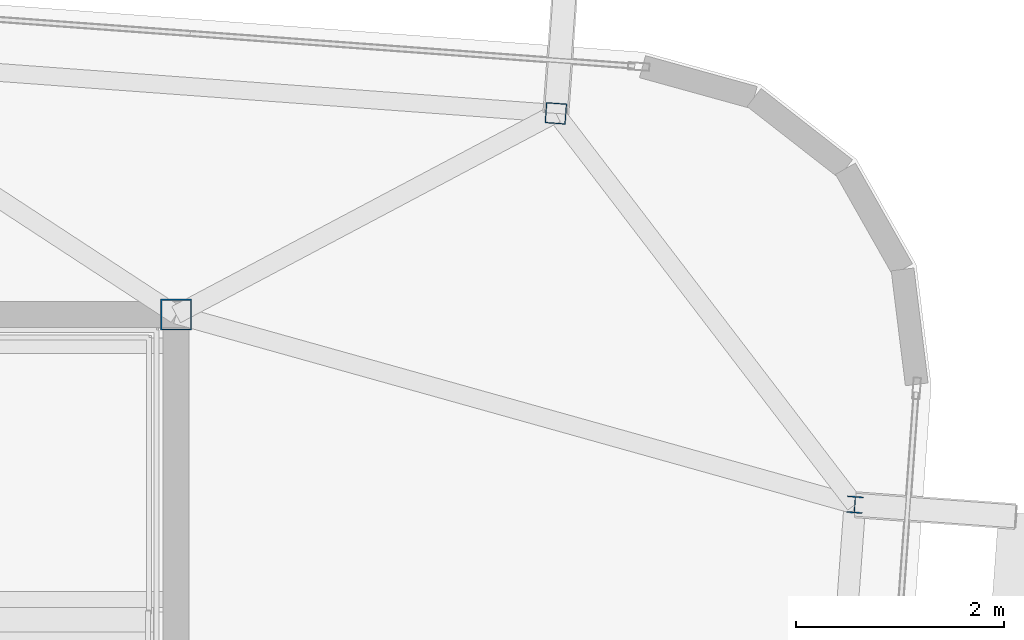
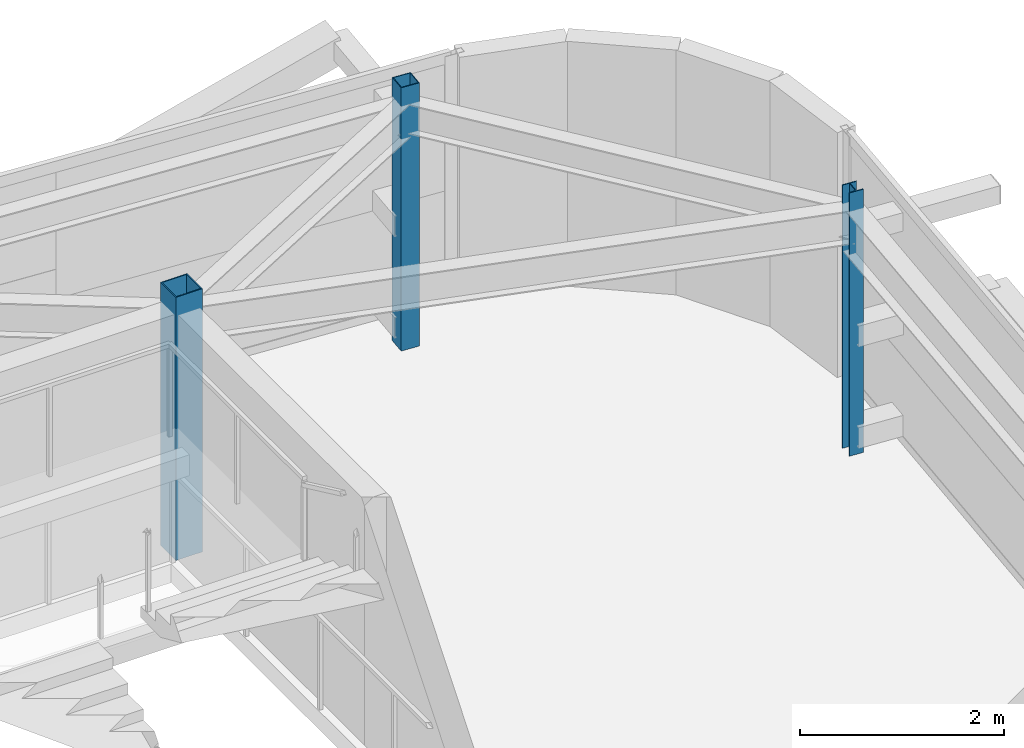
# One storey, part 6 of 34: 3 columns.
"""IFC4 building model written with IfcOpenShell, lengths in metres."""

from ifc_helpers import new_model, si_unit, direction, frame, origin, origin_2d, place, context, subcontext, project, spatial, hollow_rectangle, i_section, extrude, source, transform, mapped, material, material_profile, profile_set, type_object, element, save


model = new_model("IFC4")

# Units and contexts
model_context = context("Model", 3, precision=1e-05, world=origin(), true_north=direction((0.0, 1.0)))
body_context = subcontext(model_context, "Body", "Model", "MODEL_VIEW")
ifc_project = project(units=[si_unit("LENGTHUNIT", "METRE"), si_unit("AREAUNIT", "SQUARE_METRE"), si_unit("VOLUMEUNIT", "CUBIC_METRE"), si_unit("PLANEANGLEUNIT", "RADIAN"), si_unit("MASSUNIT", "GRAM", prefix="KILO")], contexts=[model_context])

# Site, building, storey
site_placement = place(None, origin())
site = spatial("IfcSite", under=ifc_project, at=site_placement, CompositionType="ELEMENT")
building_placement = place(site_placement, origin())
building = spatial("IfcBuilding", under=site, at=building_placement, Name="Taldren Reach Tower", CompositionType="ELEMENT")
storey_placement = place(building_placement, frame((0.0, 0.0, 242.89990234375)))
storey = spatial("IfcBuildingStorey", under=building, at=storey_placement, Name="L74", CompositionType="ELEMENT", Elevation=242.89990234375)

# Columns
ifc_material_1 = material(Name="Steel Gr 450 (C450L0)", Category="steel")
ifc_material_profile_1 = material_profile(ifc_material_1, hollow_rectangle(XDim=0.300048828125, YDim=0.300048828125, WallThickness=0.012451171875, at=origin_2d()), Name="300x300x12.5SHS")
ifc_profile_set_1 = profile_set([ifc_material_profile_1], Name="Steel Gr 450 (C450L0)")
column_type_1 = type_object("IfcColumnType", Name="COL-SHS300", PredefinedType="COLUMN", material=ifc_profile_set_1)
shared_shape_1 = source(origin(), body_context, "Body", "SweptSolid", [
    extrude(hollow_rectangle(XDim=0.300048828125, YDim=0.300048828125, WallThickness=0.012451171875, at=origin_2d()), origin(), (0.0, 0.0, 1.0), 3.150146484375),
])
column_1_placement = place(storey_placement, frame((51.0, 32.0, 0.0), z_axis=(0.0, 0.0, 1.0), x_axis=(1.0, 0.0, 0.0)))
element("IfcColumn", 1, at=column_1_placement, inside=storey, type_object=column_type_1, Name="Mega column MC-C8 L74", PredefinedType="COLUMN", context=body_context, shape_type="MappedRepresentation", body=[
    mapped(shared_shape_1, transform((0.0, 0.0, 0.0), scale=1.0)),
])
ifc_material_2 = material(Name="Steel Gr 350 (C350L0)", Category="steel")
ifc_material_profile_2 = material_profile(ifc_material_2, hollow_rectangle(XDim=0.199951171875, YDim=0.199951171875, WallThickness=0.009033203125, at=origin_2d()), Name="200x200x9.0SHS")
ifc_profile_set_2 = profile_set([ifc_material_profile_2], Name="Steel Gr 350 (C350L0)")
column_type_2 = type_object("IfcColumnType", Name="COL-SHS200", PredefinedType="COLUMN", material=ifc_profile_set_2)
shared_shape_2 = source(origin(), body_context, "Body", "SweptSolid", [
    extrude(hollow_rectangle(XDim=0.199951171875, YDim=0.199951171875, WallThickness=0.009033203125, at=origin_2d()), origin(), (0.0, 0.0, 1.0), 3.150146484375),
])
column_2_placement = place(storey_placement, frame((54.659423828125, 33.939697265625, 0.0), z_axis=(0.0, 0.0, 1.0), x_axis=(0.997314477224, -0.073238197128, 0.0)))
element("IfcColumn", 2, at=column_2_placement, inside=storey, type_object=column_type_2, Name="Block B5 perimeter column N6 L74", PredefinedType="COLUMN", context=body_context, shape_type="MappedRepresentation", body=[
    mapped(shared_shape_2, transform((0.0, 0.0, 0.0), scale=1.0)),
])
ifc_material_3 = material(Name="Steel Gr 350 (350PLUS)", Category="steel")
ifc_material_profile_3 = material_profile(ifc_material_3, i_section(OverallWidth=0.154052734375, OverallDepth=0.162109375, WebThickness=0.008056640625, FlangeThickness=0.011474609375, at=origin_2d()), Name="150UC37.2")
ifc_profile_set_3 = profile_set([ifc_material_profile_3], Name="Steel Gr 350 (350PLUS)")
column_type_3 = type_object("IfcColumnType", Name="COL-UC150", PredefinedType="COLUMN", material=ifc_profile_set_3)
shared_shape_3 = source(origin(), body_context, "Body", "SweptSolid", [
    extrude(i_section(OverallWidth=0.154052734375, OverallDepth=0.162109375, WebThickness=0.008056640625, FlangeThickness=0.011474609375, at=origin_2d()), origin(), (0.0, 0.0, 1.0), 3.150146484375),
])
column_3_placement = place(storey_placement, frame((57.540771484375, 30.168701171875, 0.0), z_axis=(0.0, 0.0, 1.0), x_axis=(0.997314477224, -0.073238197128, 0.0)))
element("IfcColumn", 3, at=column_3_placement, inside=storey, type_object=column_type_3, Name="Block B5 perimeter column E3 L74", PredefinedType="COLUMN", context=body_context, shape_type="MappedRepresentation", body=[
    mapped(shared_shape_3, transform((0.0, 0.0, 0.0), scale=1.0)),
])

save(model, "model.ifc")
